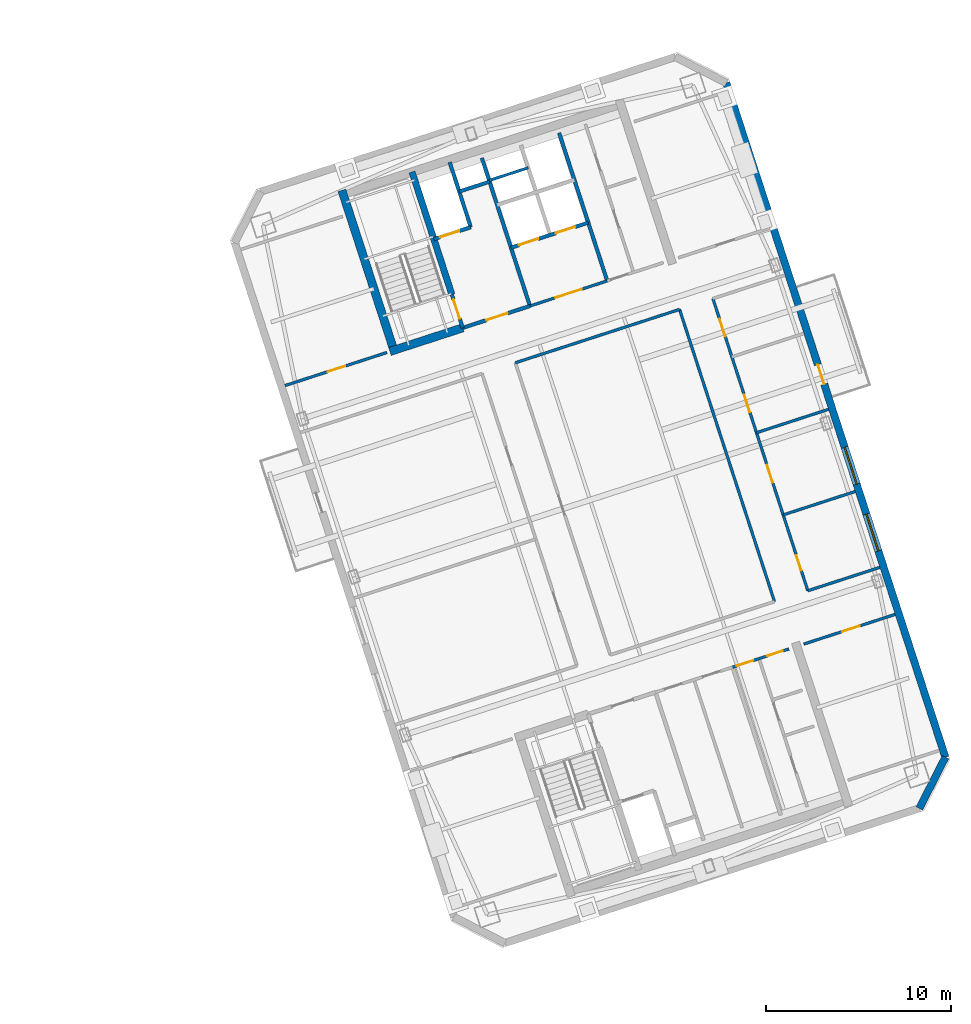
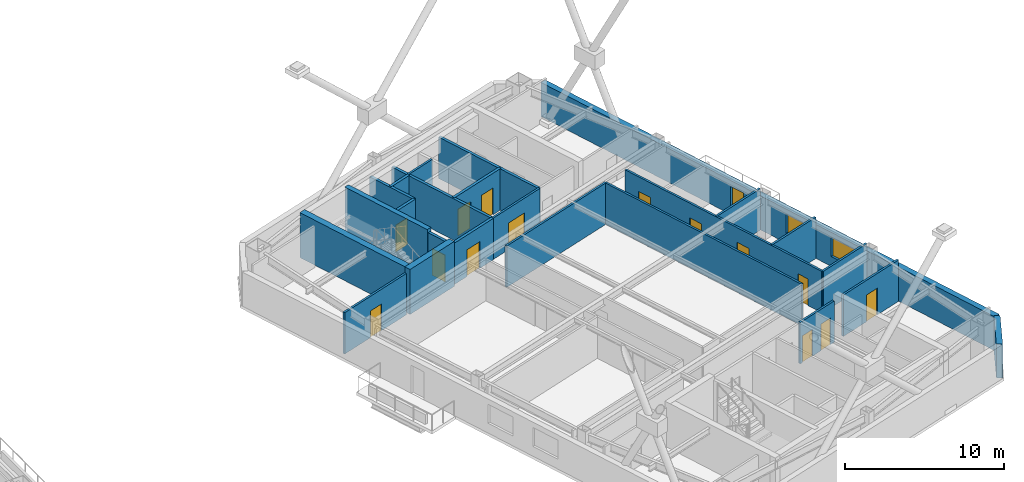
# One storey, part 10 of 16: 24 walls, 15 doors, 2 windows, 17 openings.
"""IFC4 building model written with IfcOpenShell, lengths in metres."""

from ifc_helpers import new_model, si_unit, direction, frame, frame_2d, origin, place, context, subcontext, project, spatial, rectangle, extrude, material, layer, layer_set, type_object, element, fill, save


model = new_model("IFC4")

# Units and contexts
model_context = context("Model", 3, precision=1e-05, world=origin(), true_north=direction((0.0, 1.0)))
body_context = subcontext(model_context, "Body", "Model", "MODEL_VIEW")
ifc_project = project(units=[si_unit("LENGTHUNIT", "METRE"), si_unit("AREAUNIT", "SQUARE_METRE"), si_unit("VOLUMEUNIT", "CUBIC_METRE"), si_unit("PLANEANGLEUNIT", "RADIAN"), si_unit("MASSUNIT", "GRAM", prefix="KILO")], contexts=[model_context])

# Site, building, storey
site_placement = place(None, origin())
site = spatial("IfcSite", under=ifc_project, at=site_placement, CompositionType="ELEMENT")
building_placement = place(site_placement, origin())
building = spatial("IfcBuilding", under=site, at=building_placement, Name="Qiaolan Cultural Towers", CompositionType="ELEMENT")
storey_placement = place(building_placement, frame((0.0, 0.0, 198.949951171875)))
storey = spatial("IfcBuildingStorey", under=building, at=storey_placement, Name="L53", CompositionType="ELEMENT", Elevation=198.949951171875)

# Walls
ifc_material_1 = material(Name="Concrete C50", Category="concrete")
ifc_layer_1 = layer(ifc_material_1, 0.35009765625)
ifc_layer_set_1 = layer_set([ifc_layer_1], Name="Concrete C50")
wall_type_1 = type_object("IfcWallType", Name="WL-CORE-350", PredefinedType="SHEAR", material=ifc_layer_set_1)
wall_1_placement = place(storey_placement, frame((82.513671875, 45.13134765625, 0.0), z_axis=(0.0, 0.0, 1.0), x_axis=(-0.308988790936, 0.951065679686, 0.0)))
element("IfcWall", 1, at=wall_1_placement, inside=storey, type_object=wall_type_1, Name="L53 T2-CN Stair Core Dividing Web", PredefinedType="SHEAR", context=body_context, shape_type="SweptSolid", body=[
    extrude(rectangle(XDim=6.97998046875, YDim=0.35009765625, at=frame_2d((3.489990234375, 0.0))), origin(), (0.0, 0.0, 1.0), 3.449951171875),
])
ifc_material_2 = material(Name="Concrete C50", Category="concrete")
ifc_layer_2 = layer(ifc_material_2, 0.449951171875)
ifc_layer_set_2 = layer_set([ifc_layer_2], Name="Concrete C50")
wall_type_2 = type_object("IfcWallType", Name="WL-CORE-450", PredefinedType="SHEAR", material=ifc_layer_set_2)
wall_2_placement = place(storey_placement, frame((79.4423828125, 41.899169921875, 0.0), z_axis=(0.0, 0.0, 1.0), x_axis=(-0.309035778627, 0.951050412717, 0.0)))
element("IfcWall", 2, at=wall_2_placement, inside=storey, type_object=wall_type_2, Name="L53 T2-CN West Core Shear Wall", PredefinedType="SHEAR", context=body_context, shape_type="SweptSolid", body=[
    extrude(rectangle(XDim=9.330078125, YDim=0.449951171875, at=frame_2d((4.6650390625, 0.0))), origin(), (0.0, 0.0, 1.0), 3.449951171875),
])
wall_3_placement = place(storey_placement, frame((79.15869140625, 42.04345703125, 0.0), z_axis=(0.0, 0.0, 1.0), x_axis=(0.951047485828, 0.309044785913, 0.0)))
element("IfcWall", 3, at=wall_3_placement, inside=storey, type_object=wall_type_2, Name="L53 T2-CN Stair Front Shear Wall", PredefinedType="SHEAR", context=body_context, shape_type="SweptSolid", body=[
    extrude(rectangle(XDim=4.14501953125, YDim=0.449951171875, at=frame_2d((2.072509765625, 0.0))), origin(), (0.0, 0.0, 1.0), 3.449951171875),
])

# Wall, openings, door, windows
ifc_material_3 = material(Name="Precast Concrete C50 Honed Stone Pier", Category="masonry")
ifc_layer_3 = layer(ifc_material_3, 0.39990234375)
ifc_layer_set_3 = layer_set([ifc_layer_3], Name="Precast Concrete C50 Honed Stone Pier")
wall_type_3 = type_object("IfcWallType", Name="WL-EXT-PIER-400", PredefinedType="SOLIDWALL", material=ifc_layer_set_3)
wall_4_placement = place(storey_placement, frame((97.381591796875, 56.58642578125, 0.0), z_axis=(0.0, 0.0, 1.0), x_axis=(0.309016491071, -0.951056679828, 0.0)))
wall_4 = element("IfcWall", 4, at=wall_4_placement, inside=storey, type_object=wall_type_3, Name="L53 East Tower Precast Pier Facade Wall F5", PredefinedType="SOLIDWALL", context=body_context, shape_type="SweptSolid", body=[
    extrude(rectangle(XDim=38.39990234375, YDim=0.39990234375, at=frame_2d((19.199951171875, 0.0))), origin(), (0.0, 0.0, 1.0), 2.610107421875),
])
opening_1_placement = place(wall_4_placement, frame((24.550048828125, 0.0, 0.75)))
opening_1 = element("IfcOpeningElement", 5, at=opening_1_placement, cuts=wall_4, Name="Opening W-05", PredefinedType="OPENING", context=body_context, shape_type="SweptSolid", body=[
    extrude(rectangle(XDim=2.10009765625, YDim=1.4599609375, at=frame_2d((1.050048828125, 0.72998046875))), frame((0.0, 0.2099609375, 0.0), z_axis=(0.0, -1.0, 0.0), x_axis=(1.0, 0.0, 0.0)), (0.0, 0.0, 1.0), 0.419921875),
])
opening_2_placement = place(wall_4_placement, frame((20.75, 0.0, 0.75)))
opening_2 = element("IfcOpeningElement", 6, at=opening_2_placement, cuts=wall_4, Name="Opening W-05", PredefinedType="OPENING", context=body_context, shape_type="SweptSolid", body=[
    extrude(rectangle(XDim=2.10009765625, YDim=1.4599609375, at=frame_2d((1.050048828125, 0.72998046875))), frame((0.0, 0.2099609375, 0.0), z_axis=(0.0, -1.0, 0.0), x_axis=(1.0, 0.0, 0.0)), (0.0, 0.0, 1.0), 0.419921875),
])
opening_3_placement = place(wall_4_placement, frame((16.050048828125, 0.0, 0.0)))
opening_3 = element("IfcOpeningElement", 7, at=opening_3_placement, cuts=wall_4, Name="Opening BD-01", PredefinedType="OPENING", context=body_context, shape_type="SweptSolid", body=[
    extrude(rectangle(XDim=1.10009765625, YDim=2.14990234375, at=frame_2d((0.550048828125, 1.074951171875))), frame((0.0, 0.2099609375, 0.0), z_axis=(0.0, -1.0, 0.0), x_axis=(1.0, 0.0, 0.0)), (0.0, 0.0, 1.0), 0.419921875),
])
ifc_material_4 = material(Name="Thermally Broken Aluminium Glazed Terrace Door", Category="aluminium")
door_type_1 = type_object("IfcDoorType", Name="DR-BAL-1100", OperationType="NOTDEFINED", PredefinedType="DOOR", material=ifc_material_4)
door_1_placement = place(opening_3_placement, origin())
door_1 = element("IfcDoor", 8, at=door_1_placement, inside=storey, type_object=door_type_1, Name="L53 T2 East Tree Balcony Door", OperationType="SINGLE_SWING_RIGHT", OverallHeight=2.14990234375, OverallWidth=1.10009765625, PredefinedType="DOOR", context=body_context, shape_type="SweptSolid", body=[
    extrude(rectangle(XDim=1.10009765625, YDim=2.14990234375, at=frame_2d((0.550048828125, 1.074951171875))), frame((0.0, 0.02490234375, 0.0), z_axis=(0.0, -1.0, 0.0), x_axis=(1.0, 0.0, 0.0)), (0.0, 0.0, 1.0), 0.050048828125),
])
fill(opening_3, door_1)
ifc_material_5 = material(Name="Thermally Broken Aluminium Triple Low-E Glazing", Category="aluminium")
window_type = type_object("IfcWindowType", Name="WN-CHIC-2100", PartitioningType="SINGLE_PANEL", PredefinedType="WINDOW", material=ifc_material_5)
window_1_placement = place(opening_1_placement, origin())
window_1 = element("IfcWindow", 9, at=window_1_placement, inside=storey, type_object=window_type, Name="L53 T2 E Chicago Bay Window 1", OverallHeight=1.4599609375, OverallWidth=2.10009765625, PartitioningType="TRIPLE_PANEL_VERTICAL", PredefinedType="WINDOW", context=body_context, shape_type="SweptSolid", body=[
    extrude(rectangle(XDim=2.10009765625, YDim=1.4599609375, at=frame_2d((1.050048828125, 0.72998046875))), frame((0.0, 0.030029296875, 0.0), z_axis=(0.0, -1.0, 0.0), x_axis=(1.0, 0.0, 0.0)), (0.0, 0.0, 1.0), 0.06005859375),
])
fill(opening_1, window_1)
window_2_placement = place(opening_2_placement, origin())
window_2 = element("IfcWindow", 10, at=window_2_placement, inside=storey, type_object=window_type, Name="L53 T2 E Chicago Bay Window 2", OverallHeight=1.4599609375, OverallWidth=2.10009765625, PartitioningType="TRIPLE_PANEL_VERTICAL", PredefinedType="WINDOW", context=body_context, shape_type="SweptSolid", body=[
    extrude(rectangle(XDim=2.10009765625, YDim=1.4599609375, at=frame_2d((1.050048828125, 0.72998046875))), frame((0.0, 0.030029296875, 0.0), z_axis=(0.0, -1.0, 0.0), x_axis=(1.0, 0.0, 0.0)), (0.0, 0.0, 1.0), 0.06005859375),
])
fill(opening_2, window_2)

# Wall
wall_5_placement = place(storey_placement, frame((109.247802734375, 20.06591796875, 0.0), z_axis=(0.0, 0.0, 1.0), x_axis=(-0.453949291228, -0.891027519774, 0.0)))
element("IfcWall", 11, at=wall_5_placement, inside=storey, type_object=wall_type_3, Name="L53 East Tower Precast Pier Facade Wall F6", PredefinedType="SOLIDWALL", context=body_context, shape_type="SweptSolid", body=[
    extrude(rectangle(XDim=3.111328125, YDim=0.39990234375, at=frame_2d((1.5556640625, 0.0))), origin(), (0.0, 0.0, 1.0), 2.610107421875),
])

# Wall, opening, door
ifc_material_6 = material(Name="Concrete C35 Fire Wall", Category="concrete")
ifc_layer_4 = layer(ifc_material_6, 0.199951171875)
ifc_layer_set_4 = layer_set([ifc_layer_4], Name="Concrete C35 Fire Wall")
wall_type_4 = type_object("IfcWallType", Name="WL-FIRE-200", PredefinedType="PARTITIONING", material=ifc_layer_set_4)
wall_6_placement = place(storey_placement, frame((83.100830078125, 43.324462890625, 0.0), z_axis=(0.0, 0.0, 1.0), x_axis=(-0.309048298632, 0.951046344356, 0.0)))
wall_6 = element("IfcWall", 12, at=wall_6_placement, inside=storey, type_object=wall_type_4, Name="L53 T2-CN Smokeproof Stair Entry Wall", PredefinedType="PARTITIONING", context=body_context, shape_type="SweptSolid", body=[
    extrude(rectangle(XDim=1.89990234375, YDim=0.199951171875, at=frame_2d((0.949951171875, 0.0))), origin(), (0.0, 0.0, 1.0), 3.175048828125),
])
opening_4_placement = place(wall_6_placement, frame((0.52001953125, 0.0, 0.0)))
opening_4 = element("IfcOpeningElement", 13, at=opening_4_placement, cuts=wall_6, Name="Opening FD-04", PredefinedType="OPENING", context=body_context, shape_type="SweptSolid", body=[
    extrude(rectangle(XDim=1.10009765625, YDim=2.050048828125, at=frame_2d((0.550048828125, 1.02490234375))), frame((0.0, 0.10986328125, 0.0), z_axis=(0.0, -1.0, 0.0), x_axis=(1.0, 0.0, 0.0)), (0.0, 0.0, 1.0), 0.219970703125),
])
ifc_material_7 = material(Name="Galvanized Steel Command Fire Door", Category="steel")
door_type_2 = type_object("IfcDoorType", Name="DR-FD90-1100", OperationType="NOTDEFINED", PredefinedType="DOOR", material=ifc_material_7)
door_2_placement = place(opening_4_placement, origin())
door_2 = element("IfcDoor", 14, at=door_2_placement, inside=storey, type_object=door_type_2, Name="L53 ST-E2 Smokeproof Stair Fire Door", OperationType="SINGLE_SWING_LEFT", OverallHeight=2.050048828125, OverallWidth=1.10009765625, PredefinedType="DOOR", context=body_context, shape_type="SweptSolid", body=[
    extrude(rectangle(XDim=1.10009765625, YDim=2.050048828125, at=frame_2d((0.550048828125, 1.02490234375))), frame((0.0, 0.02490234375, 0.0), z_axis=(0.0, -1.0, 0.0), x_axis=(1.0, 0.0, 0.0)), (0.0, 0.0, 1.0), 0.050048828125),
])
fill(opening_4, door_2)

# Wall
wall_7_placement = place(storey_placement, frame((86.743408203125, 44.508056640625, 0.0), z_axis=(0.0, 0.0, 1.0), x_axis=(-0.309016001439, 0.951056838919, 0.0)))
element("IfcWall", 15, at=wall_7_placement, inside=storey, type_object=wall_type_4, Name="L53 T2-CN Firefighting Zone Wall", PredefinedType="PARTITIONING", context=body_context, shape_type="SweptSolid", body=[
    extrude(rectangle(XDim=8.429931640625, YDim=0.199951171875, at=frame_2d((4.21484375, 0.0))), origin(), (0.0, 0.0, 1.0), 3.175048828125),
])

# Wall, opening, door
wall_8_placement = place(storey_placement, frame((83.100830078125, 43.324462890625, 0.0), z_axis=(0.0, 0.0, 1.0), x_axis=(0.951052804469, 0.309028417967, 0.0)))
wall_8 = element("IfcWall", 16, at=wall_8_placement, inside=storey, type_object=wall_type_4, Name="L53 T2-CN Firefighting Lobby Front Wall", PredefinedType="PARTITIONING", context=body_context, shape_type="SweptSolid", body=[
    extrude(rectangle(XDim=3.830078125, YDim=0.199951171875, at=frame_2d((1.9150390625, 0.0))), origin(), (0.0, 0.0, 1.0), 3.175048828125),
])
opening_5_placement = place(wall_8_placement, frame((1.35009765625, 0.0, 0.0)))
opening_5 = element("IfcOpeningElement", 17, at=opening_5_placement, cuts=wall_8, Name="Opening FD-03", PredefinedType="OPENING", context=body_context, shape_type="SweptSolid", body=[
    extrude(rectangle(XDim=1.199951171875, YDim=2.050048828125, at=frame_2d((0.60009765625, 1.02490234375))), frame((0.0, 0.10986328125, 0.0), z_axis=(0.0, -1.0, 0.0), x_axis=(1.0, 0.0, 0.0)), (0.0, 0.0, 1.0), 0.219970703125),
])
ifc_material_8 = material(Name="Galvanized Steel Smokeproof Lobby Fire Door", Category="steel")
door_type_3 = type_object("IfcDoorType", Name="DR-FD90-1200", OperationType="NOTDEFINED", PredefinedType="DOOR", material=ifc_material_8)
door_3_placement = place(opening_5_placement, origin())
door_3 = element("IfcDoor", 18, at=door_3_placement, inside=storey, type_object=door_type_3, Name="L53 FFL-E2 Firefighting Lobby Fire Door", OperationType="SINGLE_SWING_LEFT", OverallHeight=2.050048828125, OverallWidth=1.199951171875, PredefinedType="DOOR", context=body_context, shape_type="SweptSolid", body=[
    extrude(rectangle(XDim=1.199951171875, YDim=2.050048828125, at=frame_2d((0.60009765625, 1.02490234375))), frame((0.0, 0.02490234375, 0.0), z_axis=(0.0, -1.0, 0.0), x_axis=(1.0, 0.0, 0.0)), (0.0, 0.0, 1.0), 0.050048828125),
])
fill(opening_5, door_3)

wall_9_placement = place(storey_placement, frame((81.540283203125, 48.127197265625, 0.0), z_axis=(0.0, 0.0, 1.0), x_axis=(0.951062257173, 0.308999325213, 0.0)))
wall_9 = element("IfcWall", 19, at=wall_9_placement, inside=storey, type_object=wall_type_4, Name="L53 T2-CN Firefighting Shaft Front Wall", PredefinedType="PARTITIONING", context=body_context, shape_type="SweptSolid", body=[
    extrude(rectangle(XDim=2.10009765625, YDim=0.199951171875, at=frame_2d((1.050048828125, 0.0))), origin(), (0.0, 0.0, 1.0), 3.175048828125),
])
opening_6_placement = place(wall_9_placement, frame((0.35009765625, 0.0, 0.0)))
opening_6 = element("IfcOpeningElement", 20, at=opening_6_placement, cuts=wall_9, Name="Opening LD-01", PredefinedType="OPENING", context=body_context, shape_type="SweptSolid", body=[
    extrude(rectangle(XDim=1.10009765625, YDim=2.050048828125, at=frame_2d((0.550048828125, 1.02490234375))), frame((0.0, 0.10986328125, 0.0), z_axis=(0.0, -1.0, 0.0), x_axis=(1.0, 0.0, 0.0)), (0.0, 0.0, 1.0), 0.219970703125),
])
ifc_material_9 = material(Name="Brushed Stainless Steel S30408 Centre-Parting Lift Landing Door", Category="steel")
door_type_4 = type_object("IfcDoorType", Name="DR-LIFT-1100", OperationType="NOTDEFINED", PredefinedType="DOOR", material=ifc_material_9)
door_4_placement = place(opening_6_placement, origin())
door_4 = element("IfcDoor", 21, at=door_4_placement, inside=storey, type_object=door_type_4, Name="L53 FFL-E2 Firefighting Lift Landing Door", OperationType="DOUBLE_DOOR_SLIDING", OverallHeight=2.050048828125, OverallWidth=1.10009765625, PredefinedType="DOOR", context=body_context, shape_type="SweptSolid", body=[
    extrude(rectangle(XDim=1.10009765625, YDim=2.050048828125, at=frame_2d((0.550048828125, 1.02490234375))), frame((0.0, 0.02490234375, 0.0), z_axis=(0.0, -1.0, 0.0), x_axis=(1.0, 0.0, 0.0)), (0.0, 0.0, 1.0), 0.050048828125),
])
fill(opening_6, door_4)

# Walls
wall_10_placement = place(storey_placement, frame((83.53759765625, 48.776123046875, 0.0), z_axis=(0.0, 0.0, 1.0), x_axis=(-0.3089935693, 0.951064127245, 0.0)))
element("IfcWall", 22, at=wall_10_placement, inside=storey, type_object=wall_type_4, Name="L53 T2-CN Firefighting Hoistway East Wall", PredefinedType="PARTITIONING", context=body_context, shape_type="SweptSolid", body=[
    extrude(rectangle(XDim=3.7001953125, YDim=0.199951171875, at=frame_2d((1.85009765625, 0.0))), origin(), (0.0, 0.0, 1.0), 3.175048828125),
])
wall_11_placement = place(storey_placement, frame((82.910400390625, 50.706787109375, 0.0), z_axis=(0.0, 0.0, 1.0), x_axis=(0.951041328149, 0.309063734775, 0.0)))
element("IfcWall", 23, at=wall_11_placement, inside=storey, type_object=wall_type_4, Name="L53 T2-CN Pressurization Shaft Front Wall", PredefinedType="PARTITIONING", context=body_context, shape_type="SweptSolid", body=[
    extrude(rectangle(XDim=1.72998046875, YDim=0.199951171875, at=frame_2d((0.864990234375, 0.0))), origin(), (0.0, 0.0, 1.0), 3.175048828125),
])
wall_12_placement = place(storey_placement, frame((90.92822265625, 45.86767578125, 0.0), z_axis=(0.0, 0.0, 1.0), x_axis=(-0.309042196757, 0.951048327176, 0.0)))
element("IfcWall", 24, at=wall_12_placement, inside=storey, type_object=wall_type_4, Name="L53 T2-CN Lift Core East Wall", PredefinedType="PARTITIONING", context=body_context, shape_type="SweptSolid", body=[
    extrude(rectangle(XDim=8.429931640625, YDim=0.199951171875, at=frame_2d((4.21484375, 0.0))), origin(), (0.0, 0.0, 1.0), 3.175048828125),
])

# Wall, openings, doors
wall_13_placement = place(storey_placement, frame((85.717529296875, 47.66552734375, 0.0), z_axis=(0.0, 0.0, 1.0), x_axis=(0.951058531764, 0.30901079133, 0.0)))
wall_13 = element("IfcWall", 25, at=wall_13_placement, inside=storey, type_object=wall_type_4, Name="L53 T2-CN Passenger Lift Shaft Front Wall", PredefinedType="PARTITIONING", context=body_context, shape_type="SweptSolid", body=[
    extrude(rectangle(XDim=4.39990234375, YDim=0.199951171875, at=frame_2d((2.199951171875, 0.0))), origin(), (0.0, 0.0, 1.0), 3.175048828125),
])
opening_7_placement = place(wall_13_placement, frame((0.449951171875, 0.0, 0.0)))
opening_7 = element("IfcOpeningElement", 26, at=opening_7_placement, cuts=wall_13, Name="Opening LD-01", PredefinedType="OPENING", context=body_context, shape_type="SweptSolid", body=[
    extrude(rectangle(XDim=1.10009765625, YDim=2.050048828125, at=frame_2d((0.550048828125, 1.02490234375))), frame((0.0, 0.10986328125, 0.0), z_axis=(0.0, -1.0, 0.0), x_axis=(1.0, 0.0, 0.0)), (0.0, 0.0, 1.0), 0.219970703125),
])
opening_8_placement = place(wall_13_placement, frame((2.550048828125, 0.0, 0.0)))
opening_8 = element("IfcOpeningElement", 27, at=opening_8_placement, cuts=wall_13, Name="Opening LD-01", PredefinedType="OPENING", context=body_context, shape_type="SweptSolid", body=[
    extrude(rectangle(XDim=1.10009765625, YDim=2.050048828125, at=frame_2d((0.550048828125, 1.02490234375))), frame((0.0, 0.10986328125, 0.0), z_axis=(0.0, -1.0, 0.0), x_axis=(1.0, 0.0, 0.0)), (0.0, 0.0, 1.0), 0.219970703125),
])
door_5_placement = place(opening_7_placement, origin())
door_5 = element("IfcDoor", 28, at=door_5_placement, inside=storey, type_object=door_type_4, Name="L53 Passenger Lift 1 Landing Door", OperationType="DOUBLE_DOOR_SLIDING", OverallHeight=2.050048828125, OverallWidth=1.10009765625, PredefinedType="DOOR", context=body_context, shape_type="SweptSolid", body=[
    extrude(rectangle(XDim=1.10009765625, YDim=2.050048828125, at=frame_2d((0.550048828125, 1.02490234375))), frame((0.0, 0.02490234375, 0.0), z_axis=(0.0, -1.0, 0.0), x_axis=(1.0, 0.0, 0.0)), (0.0, 0.0, 1.0), 0.050048828125),
])
fill(opening_7, door_5)
door_6_placement = place(opening_8_placement, origin())
door_6 = element("IfcDoor", 29, at=door_6_placement, inside=storey, type_object=door_type_4, Name="L53 Passenger Lift 2 Landing Door", OperationType="DOUBLE_DOOR_SLIDING", OverallHeight=2.050048828125, OverallWidth=1.10009765625, PredefinedType="DOOR", context=body_context, shape_type="SweptSolid", body=[
    extrude(rectangle(XDim=1.10009765625, YDim=2.050048828125, at=frame_2d((0.550048828125, 1.02490234375))), frame((0.0, 0.02490234375, 0.0), z_axis=(0.0, -1.0, 0.0), x_axis=(1.0, 0.0, 0.0)), (0.0, 0.0, 1.0), 0.050048828125),
])
fill(opening_8, door_6)

ifc_material_10 = material(Name="Autoclaved Aerated Concrete Block B06", Category="concrete")
ifc_layer_5 = layer(ifc_material_10, 0.14990234375)
ifc_layer_set_5 = layer_set([ifc_layer_5], Name="Autoclaved Aerated Concrete Block B06")
wall_type_5 = type_object("IfcWallType", Name="WL-PART-150", PredefinedType="PARTITIONING", material=ifc_layer_set_5)
wall_14_placement = place(storey_placement, frame((97.7265625, 24.9443359375, 0.0), z_axis=(0.0, 0.0, 1.0), x_axis=(0.951036872128, 0.309077446369, 0.0)))
wall_14 = element("IfcWall", 30, at=wall_14_placement, inside=storey, type_object=wall_type_5, Name="L53 T2-CS Sanitary Core Front Wall", PredefinedType="PARTITIONING", context=body_context, shape_type="SweptSolid", body=[
    extrude(rectangle(XDim=3.199951171875, YDim=0.14990234375, at=frame_2d((1.60009765625, 0.0))), origin(), (0.0, 0.0, 1.0), 3.175048828125),
])
opening_9_placement = place(wall_14_placement, frame((0.219970703125, 0.0, 0.0)))
opening_9 = element("IfcOpeningElement", 31, at=opening_9_placement, cuts=wall_14, Name="Opening ID-05", PredefinedType="OPENING", context=body_context, shape_type="SweptSolid", body=[
    extrude(rectangle(XDim=0.949951171875, YDim=2.050048828125, at=frame_2d((0.47509765625, 1.02490234375))), frame((0.0, 0.0849609375, 0.0), z_axis=(0.0, -1.0, 0.0), x_axis=(1.0, 0.0, 0.0)), (0.0, 0.0, 1.0), 0.169921875),
])
opening_10_placement = place(wall_14_placement, frame((1.949951171875, 0.0, 0.0)))
opening_10 = element("IfcOpeningElement", 32, at=opening_10_placement, cuts=wall_14, Name="Opening ID-06", PredefinedType="OPENING", context=body_context, shape_type="SweptSolid", body=[
    extrude(rectangle(XDim=0.89990234375, YDim=2.050048828125, at=frame_2d((0.449951171875, 1.02490234375))), frame((0.0, 0.0849609375, 0.0), z_axis=(0.0, -1.0, 0.0), x_axis=(1.0, 0.0, 0.0)), (0.0, 0.0, 1.0), 0.169921875),
])
ifc_material_11 = material(Name="Fire-Rated Laminate Core Service Door", Category="timber")
door_type_5 = type_object("IfcDoorType", Name="DR-INT-900", OperationType="NOTDEFINED", PredefinedType="DOOR", material=ifc_material_11)
door_7_placement = place(opening_10_placement, origin())
door_7 = element("IfcDoor", 33, at=door_7_placement, inside=storey, type_object=door_type_5, Name="L53 Core Tea Pantry Door", OperationType="SINGLE_SWING_RIGHT", OverallHeight=2.050048828125, OverallWidth=0.89990234375, PredefinedType="DOOR", context=body_context, shape_type="SweptSolid", body=[
    extrude(rectangle(XDim=0.89990234375, YDim=2.050048828125, at=frame_2d((0.449951171875, 1.02490234375))), frame((0.0, 0.02490234375, 0.0), z_axis=(0.0, -1.0, 0.0), x_axis=(1.0, 0.0, 0.0)), (0.0, 0.0, 1.0), 0.050048828125),
])
fill(opening_10, door_7)
ifc_material_12 = material(Name="Fire-Rated Laminate Accessible Core Door", Category="timber")
door_type_6 = type_object("IfcDoorType", Name="DR-INT-950", OperationType="NOTDEFINED", PredefinedType="DOOR", material=ifc_material_12)
door_8_placement = place(opening_9_placement, origin())
door_8 = element("IfcDoor", 34, at=door_8_placement, inside=storey, type_object=door_type_6, Name="L53 Sanitary Passage Door", OperationType="SINGLE_SWING_LEFT", OverallHeight=2.050048828125, OverallWidth=0.949951171875, PredefinedType="DOOR", context=body_context, shape_type="SweptSolid", body=[
    extrude(rectangle(XDim=0.949951171875, YDim=2.050048828125, at=frame_2d((0.47509765625, 1.02490234375))), frame((0.0, 0.02490234375, 0.0), z_axis=(0.0, -1.0, 0.0), x_axis=(1.0, 0.0, 0.0)), (0.0, 0.0, 1.0), 0.050048828125),
])
fill(opening_9, door_8)

# Wall, opening, door
wall_15_placement = place(storey_placement, frame((86.743408203125, 44.508056640625, 0.0), z_axis=(0.0, 0.0, 1.0), x_axis=(0.951063829732, 0.308994485023, 0.0)))
wall_15 = element("IfcWall", 35, at=wall_15_placement, inside=storey, type_object=wall_type_5, Name="L53 T2-CN Passenger Lift Lobby Front Wall", PredefinedType="PARTITIONING", context=body_context, shape_type="SweptSolid", body=[
    extrude(rectangle(XDim=4.400146484375, YDim=0.14990234375, at=frame_2d((2.2001953125, 0.0))), origin(), (0.0, 0.0, 1.0), 3.175048828125),
])
opening_11_placement = place(wall_15_placement, frame((1.449951171875, 0.0, 0.0)))
opening_11 = element("IfcOpeningElement", 36, at=opening_11_placement, cuts=wall_15, Name="Opening FD-05", PredefinedType="OPENING", context=body_context, shape_type="SweptSolid", body=[
    extrude(rectangle(XDim=1.5, YDim=2.050048828125, at=frame_2d((0.75, 1.02490234375))), frame((0.0, 0.0849609375, 0.0), z_axis=(0.0, -1.0, 0.0), x_axis=(1.0, 0.0, 0.0)), (0.0, 0.0, 1.0), 0.169921875),
])
ifc_material_13 = material(Name="Painted Steel Lift Lobby Fire Door", Category="steel")
door_type_7 = type_object("IfcDoorType", Name="DR-FD60-1500", OperationType="NOTDEFINED", PredefinedType="DOOR", material=ifc_material_13)
door_9_placement = place(opening_11_placement, origin())
door_9 = element("IfcDoor", 37, at=door_9_placement, inside=storey, type_object=door_type_7, Name="L53 Passenger Lift Lobby Entrance", OperationType="SINGLE_SWING_LEFT", OverallHeight=2.050048828125, OverallWidth=1.5, PredefinedType="DOOR", context=body_context, shape_type="SweptSolid", body=[
    extrude(rectangle(XDim=1.5, YDim=2.050048828125, at=frame_2d((0.75, 1.02490234375))), frame((0.0, 0.02490234375, 0.0), z_axis=(0.0, -1.0, 0.0), x_axis=(1.0, 0.0, 0.0)), (0.0, 0.0, 1.0), 0.050048828125),
])
fill(opening_11, door_9)

# Wall
wall_16_placement = place(storey_placement, frame((84.533935546875, 51.30810546875, 0.0), z_axis=(0.0, 0.0, 1.0), x_axis=(0.951075093106, 0.308959814982, 0.0)))
element("IfcWall", 38, at=wall_16_placement, inside=storey, type_object=wall_type_5, Name="L53 T2-CN Core Rear Riser Split", PredefinedType="PARTITIONING", context=body_context, shape_type="SweptSolid", body=[
    extrude(rectangle(XDim=2.22998046875, YDim=0.14990234375, at=frame_2d((1.114990234375, 0.0))), origin(), (0.0, 0.0, 1.0), 3.175048828125),
])

# Wall, opening, door
wall_17_placement = place(storey_placement, frame((101.578369140625, 26.196044921875, 0.0), z_axis=(0.0, 0.0, 1.0), x_axis=(0.951064427824, 0.308992644131, 0.0)))
wall_17 = element("IfcWall", 39, at=wall_17_placement, inside=storey, type_object=wall_type_5, Name="L53 T2 Flank Front FLK-SE", PredefinedType="PARTITIONING", context=body_context, shape_type="SweptSolid", body=[
    extrude(rectangle(XDim=5.19970703125, YDim=0.14990234375, at=frame_2d((2.599853515625, 0.0))), origin(), (0.0, 0.0, 1.0), 3.175048828125),
])
opening_12_placement = place(wall_17_placement, frame((2.18408203125, 0.0, 0.0)))
opening_12 = element("IfcOpeningElement", 40, at=opening_12_placement, cuts=wall_17, Name="Opening ID-04", PredefinedType="OPENING", context=body_context, shape_type="SweptSolid", body=[
    extrude(rectangle(XDim=1.0, YDim=2.050048828125, at=frame_2d((0.5, 1.02490234375))), frame((0.0, 0.0849609375, 0.0), z_axis=(0.0, -1.0, 0.0), x_axis=(1.0, 0.0, 0.0)), (0.0, 0.0, 1.0), 0.169921875),
])
ifc_material_14 = material(Name="Oak Veneer Acoustic Office Door", Category="timber")
door_type_8 = type_object("IfcDoorType", Name="DR-INT-1000", OperationType="NOTDEFINED", PredefinedType="DOOR", material=ifc_material_14)
door_10_placement = place(opening_12_placement, origin())
door_10 = element("IfcDoor", 41, at=door_10_placement, inside=storey, type_object=door_type_8, Name="L53 T2 Corner Studio Door", OperationType="SINGLE_SWING_LEFT", OverallHeight=2.050048828125, OverallWidth=1.0, PredefinedType="DOOR", context=body_context, shape_type="SweptSolid", body=[
    extrude(rectangle(XDim=1.0, YDim=2.050048828125, at=frame_2d((0.5, 1.02490234375))), frame((0.0, 0.02490234375, 0.0), z_axis=(0.0, -1.0, 0.0), x_axis=(1.0, 0.0, 0.0)), (0.0, 0.0, 1.0), 0.050048828125),
])
fill(opening_12, door_10)

wall_18_placement = place(storey_placement, frame((73.476318359375, 40.197265625, 0.0), z_axis=(0.0, 0.0, 1.0), x_axis=(0.951059431056, 0.309008023519, 0.0)))
wall_18 = element("IfcWall", 42, at=wall_18_placement, inside=storey, type_object=wall_type_5, Name="L53 T2 Flank Front FLK-NW", PredefinedType="PARTITIONING", context=body_context, shape_type="SweptSolid", body=[
    extrude(rectangle(XDim=5.800048828125, YDim=0.14990234375, at=frame_2d((2.89990234375, 0.0))), origin(), (0.0, 0.0, 1.0), 3.175048828125),
])
opening_13_placement = place(wall_18_placement, frame((2.43603515625, 0.0, 0.0)))
opening_13 = element("IfcOpeningElement", 43, at=opening_13_placement, cuts=wall_18, Name="Opening ID-04", PredefinedType="OPENING", context=body_context, shape_type="SweptSolid", body=[
    extrude(rectangle(XDim=1.0, YDim=2.050048828125, at=frame_2d((0.5, 1.02490234375))), frame((0.0, 0.0849609375, 0.0), z_axis=(0.0, -1.0, 0.0), x_axis=(1.0, 0.0, 0.0)), (0.0, 0.0, 1.0), 0.169921875),
])
door_11_placement = place(opening_13_placement, origin())
door_11 = element("IfcDoor", 44, at=door_11_placement, inside=storey, type_object=door_type_8, Name="L53 T2 Corner Studio Door", OperationType="SINGLE_SWING_LEFT", OverallHeight=2.050048828125, OverallWidth=1.0, PredefinedType="DOOR", context=body_context, shape_type="SweptSolid", body=[
    extrude(rectangle(XDim=1.0, YDim=2.050048828125, at=frame_2d((0.5, 1.02490234375))), frame((0.0, 0.02490234375, 0.0), z_axis=(0.0, -1.0, 0.0), x_axis=(1.0, 0.0, 0.0)), (0.0, 0.0, 1.0), 0.050048828125),
])
fill(opening_13, door_11)

# Walls
wall_19_placement = place(storey_placement, frame((101.79638671875, 29.084716796875, 0.0), z_axis=(0.0, 0.0, 1.0), x_axis=(0.951061634685, 0.309001241148, 0.0)))
element("IfcWall", 45, at=wall_19_placement, inside=storey, type_object=wall_type_5, Name="L53 T2 Interior Wall", PredefinedType="PARTITIONING", context=body_context, shape_type="SweptSolid", body=[
    extrude(rectangle(XDim=4.099853515625, YDim=0.14990234375, at=frame_2d((2.0498046875, 0.0))), origin(), (0.0, 0.0, 1.0), 3.175048828125),
])
wall_20_placement = place(storey_placement, frame((85.954833984375, 41.433837890625, 0.0), z_axis=(0.0, 0.0, 1.0), x_axis=(0.951053063704, 0.309027620156, 0.0)))
element("IfcWall", 46, at=wall_20_placement, inside=storey, type_object=wall_type_5, Name="L53 T2 Interior Wall", PredefinedType="PARTITIONING", context=body_context, shape_type="SweptSolid", body=[
    extrude(rectangle(XDim=9.35009765625, YDim=0.14990234375, at=frame_2d((4.675048828125, 0.0))), origin(), (0.0, 0.0, 1.0), 3.175048828125),
])
wall_21_placement = place(storey_placement, frame((99.9892578125, 28.49755859375, 0.0), z_axis=(0.0, 0.0, 1.0), x_axis=(-0.30901773025, 0.951056277195, 0.0)))
element("IfcWall", 47, at=wall_21_placement, inside=storey, type_object=wall_type_5, Name="L53 T2 Interior Wall", PredefinedType="PARTITIONING", context=body_context, shape_type="SweptSolid", body=[
    extrude(rectangle(XDim=16.64013671875, YDim=0.14990234375, at=frame_2d((8.320068359375, 0.0))), origin(), (0.0, 0.0, 1.0), 3.175048828125),
])

# Wall, openings, doors
wall_22_placement = place(storey_placement, frame((101.79638671875, 29.084716796875, 0.0), z_axis=(0.0, 0.0, 1.0), x_axis=(-0.309022042254, 0.951054876125, 0.0)))
wall_22 = element("IfcWall", 48, at=wall_22_placement, inside=storey, type_object=wall_type_5, Name="L53 T2 Interior Wall", PredefinedType="PARTITIONING", context=body_context, shape_type="SweptSolid", body=[
    extrude(rectangle(XDim=16.639892578125, YDim=0.14990234375, at=frame_2d((8.31982421875, 0.0))), origin(), (0.0, 0.0, 1.0), 3.175048828125),
])
opening_14_placement = place(wall_22_placement, frame((1.159912109375, 0.0, 0.0)))
opening_14 = element("IfcOpeningElement", 49, at=opening_14_placement, cuts=wall_22, Name="Opening ID-09", PredefinedType="OPENING", context=body_context, shape_type="SweptSolid", body=[
    extrude(rectangle(XDim=0.85009765625, YDim=2.050048828125, at=frame_2d((0.425048828125, 1.02490234375))), frame((0.0, 0.0849609375, 0.0), z_axis=(0.0, -1.0, 0.0), x_axis=(1.0, 0.0, 0.0)), (0.0, 0.0, 1.0), 0.169921875),
])
opening_15_placement = place(wall_22_placement, frame((6.159912109375, 0.0, 0.0)))
opening_15 = element("IfcOpeningElement", 50, at=opening_15_placement, cuts=wall_22, Name="Opening ID-04", PredefinedType="OPENING", context=body_context, shape_type="SweptSolid", body=[
    extrude(rectangle(XDim=1.0, YDim=2.050048828125, at=frame_2d((0.5, 1.02490234375))), frame((0.0, 0.0849609375, 0.0), z_axis=(0.0, -1.0, 0.0), x_axis=(1.0, 0.0, 0.0)), (0.0, 0.0, 1.0), 0.169921875),
])
opening_16_placement = place(wall_22_placement, frame((10.159912109375, 0.0, 0.0)))
opening_16 = element("IfcOpeningElement", 51, at=opening_16_placement, cuts=wall_22, Name="Opening ID-04", PredefinedType="OPENING", context=body_context, shape_type="SweptSolid", body=[
    extrude(rectangle(XDim=1.0, YDim=2.050048828125, at=frame_2d((0.5, 1.02490234375))), frame((0.0, 0.0849609375, 0.0), z_axis=(0.0, -1.0, 0.0), x_axis=(1.0, 0.0, 0.0)), (0.0, 0.0, 1.0), 0.169921875),
])
opening_17_placement = place(wall_22_placement, frame((14.47998046875, 0.0, 0.0)))
opening_17 = element("IfcOpeningElement", 52, at=opening_17_placement, cuts=wall_22, Name="Opening ID-04", PredefinedType="OPENING", context=body_context, shape_type="SweptSolid", body=[
    extrude(rectangle(XDim=1.0, YDim=2.050048828125, at=frame_2d((0.5, 1.02490234375))), frame((0.0, 0.0849609375, 0.0), z_axis=(0.0, -1.0, 0.0), x_axis=(1.0, 0.0, 0.0)), (0.0, 0.0, 1.0), 0.169921875),
])
door_12_placement = place(opening_15_placement, origin())
door_12 = element("IfcDoor", 53, at=door_12_placement, inside=storey, type_object=door_type_8, Name="L53 T2 Seminar Room Door", OperationType="SINGLE_SWING_RIGHT", OverallHeight=2.050048828125, OverallWidth=1.0, PredefinedType="DOOR", context=body_context, shape_type="SweptSolid", body=[
    extrude(rectangle(XDim=1.0, YDim=2.050048828125, at=frame_2d((0.5, 1.02490234375))), frame((0.0, 0.02490234375, 0.0), z_axis=(0.0, -1.0, 0.0), x_axis=(1.0, 0.0, 0.0)), (0.0, 0.0, 1.0), 0.050048828125),
])
fill(opening_15, door_12)
door_13_placement = place(opening_16_placement, origin())
door_13 = element("IfcDoor", 54, at=door_13_placement, inside=storey, type_object=door_type_8, Name="L53 T2 Seminar Room Door", OperationType="SINGLE_SWING_LEFT", OverallHeight=2.050048828125, OverallWidth=1.0, PredefinedType="DOOR", context=body_context, shape_type="SweptSolid", body=[
    extrude(rectangle(XDim=1.0, YDim=2.050048828125, at=frame_2d((0.5, 1.02490234375))), frame((0.0, 0.02490234375, 0.0), z_axis=(0.0, -1.0, 0.0), x_axis=(1.0, 0.0, 0.0)), (0.0, 0.0, 1.0), 0.050048828125),
])
fill(opening_16, door_13)
door_14_placement = place(opening_17_placement, origin())
door_14 = element("IfcDoor", 55, at=door_14_placement, inside=storey, type_object=door_type_8, Name="L53 T2 Medical Station Door", OperationType="SINGLE_SWING_LEFT", OverallHeight=2.050048828125, OverallWidth=1.0, PredefinedType="DOOR", context=body_context, shape_type="SweptSolid", body=[
    extrude(rectangle(XDim=1.0, YDim=2.050048828125, at=frame_2d((0.5, 1.02490234375))), frame((0.0, 0.02490234375, 0.0), z_axis=(0.0, -1.0, 0.0), x_axis=(1.0, 0.0, 0.0)), (0.0, 0.0, 1.0), 0.050048828125),
])
fill(opening_17, door_14)
ifc_material_15 = material(Name="Moisture-Resistant Laminate Utility Door", Category="timber")
door_type_9 = type_object("IfcDoorType", Name="DR-INT-850", OperationType="NOTDEFINED", PredefinedType="DOOR", material=ifc_material_15)
door_15_placement = place(opening_14_placement, origin())
door_15 = element("IfcDoor", 56, at=door_15_placement, inside=storey, type_object=door_type_9, Name="L53 T2 Cultural Exchange Shop Door", OperationType="SINGLE_SWING_RIGHT", OverallHeight=2.050048828125, OverallWidth=0.85009765625, PredefinedType="DOOR", context=body_context, shape_type="SweptSolid", body=[
    extrude(rectangle(XDim=0.85009765625, YDim=2.050048828125, at=frame_2d((0.425048828125, 1.02490234375))), frame((0.0, 0.02490234375, 0.0), z_axis=(0.0, -1.0, 0.0), x_axis=(1.0, 0.0, 0.0)), (0.0, 0.0, 1.0), 0.050048828125),
])
fill(opening_14, door_15)

# Walls
wall_23_placement = place(storey_placement, frame((100.46142578125, 33.193359375, 0.0), z_axis=(0.0, 0.0, 1.0), x_axis=(0.951061634685, 0.309001241148, 0.0)))
element("IfcWall", 57, at=wall_23_placement, inside=storey, type_object=wall_type_5, Name="L53 T2 Interior Wall", PredefinedType="PARTITIONING", context=body_context, shape_type="SweptSolid", body=[
    extrude(rectangle(XDim=4.099853515625, YDim=0.14990234375, at=frame_2d((2.0498046875, 0.0))), origin(), (0.0, 0.0, 1.0), 3.175048828125),
])
wall_24_placement = place(storey_placement, frame((99.01513671875, 37.644287109375, 0.0), z_axis=(0.0, 0.0, 1.0), x_axis=(0.951067320073, 0.308983741789, 0.0)))
element("IfcWall", 58, at=wall_24_placement, inside=storey, type_object=wall_type_5, Name="L53 T2 Interior Wall", PredefinedType="PARTITIONING", context=body_context, shape_type="SweptSolid", body=[
    extrude(rectangle(XDim=4.10009765625, YDim=0.14990234375, at=frame_2d((2.050048828125, 0.0))), origin(), (0.0, 0.0, 1.0), 3.175048828125),
])

save(model, "model.ifc")
